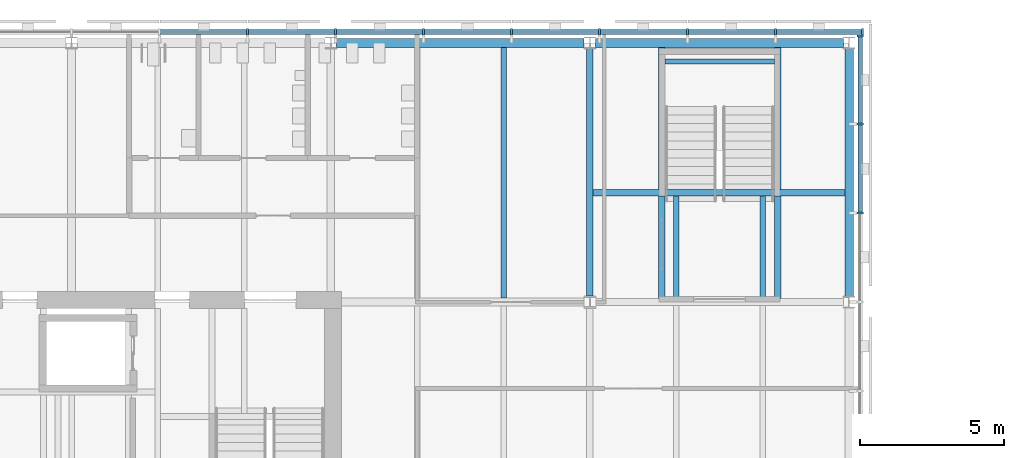
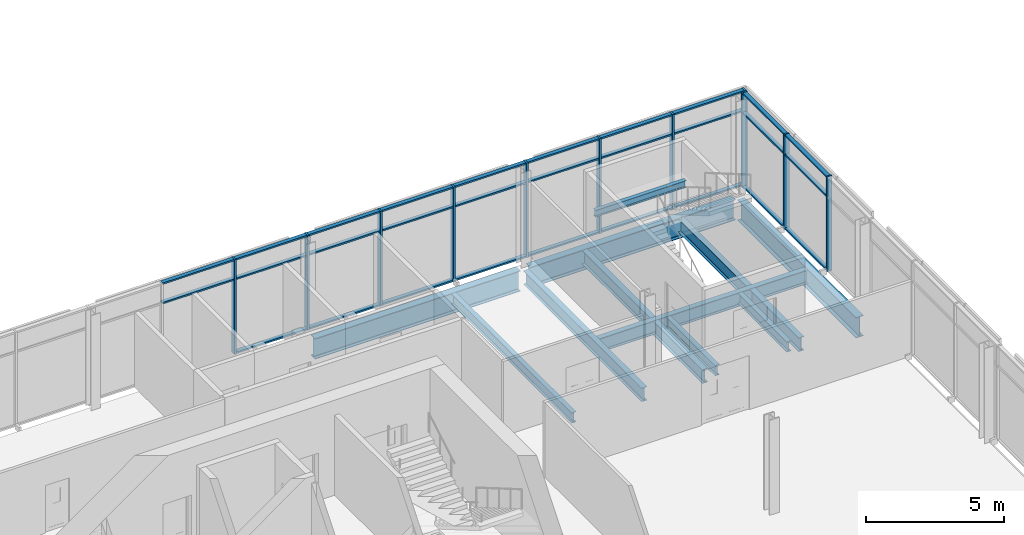
# One storey, part 52 of 123: 40 members, 13 beams, 2 elements without a shape of their own.
"""IFC4 building model written with IfcOpenShell, lengths in metres."""

from ifc_helpers import new_model, si_unit, direction, frame, origin, origin_2d, place, context, subcontext, project, spatial, rectangle, i_section, extrude, material, material_profile, profile_set, type_object, element, aggregate, save


model = new_model("IFC4")

# Units and contexts
model_context = context("Model", 3, precision=1e-05, world=origin(), true_north=direction((0.0, 1.0)))
body_context = subcontext(model_context, "Body", "Model", "MODEL_VIEW")
ifc_project = project(units=[si_unit("LENGTHUNIT", "METRE"), si_unit("AREAUNIT", "SQUARE_METRE"), si_unit("VOLUMEUNIT", "CUBIC_METRE"), si_unit("PLANEANGLEUNIT", "RADIAN"), si_unit("MASSUNIT", "GRAM", prefix="KILO")], contexts=[model_context])

# Site, building, storey
site_placement = place(None, origin())
site = spatial("IfcSite", under=ifc_project, at=site_placement, CompositionType="ELEMENT")
building_placement = place(site_placement, origin())
building = spatial("IfcBuilding", under=site, at=building_placement, Name="Baradari Gate Terminus", CompositionType="ELEMENT")
storey_placement = place(building_placement, frame((0.0, 0.0, 7.5)))
storey = spatial("IfcBuildingStorey", under=building, at=storey_placement, Name="L01", CompositionType="ELEMENT", Elevation=7.5)

# Curtain wall, members
ifc_material_1 = material(Name="Aluminium 6063-T6", Category="aluminium")
curtain_wall_type = type_object("IfcCurtainWallType", Name="Curtain wall CW-9 block gallery storey", PredefinedType="NOTDEFINED", material=ifc_material_1)
curtain_wall_1_placement = place(storey_placement, origin())
curtain_wall_1 = element("IfcCurtainWall", 1, at=curtain_wall_1_placement, inside=storey, type_object=curtain_wall_type, Name="Curtain wall CW-9 Operations block N face L01", PredefinedType="NOTDEFINED")
ifc_material_2 = material(Name="Aluminium 6063-T6", Category="aluminium")
ifc_material_profile_1 = material_profile(ifc_material_2, rectangle(XDim=0.22509765625, YDim=0.070068359375, at=origin_2d()), Name="CM-9 70X225")
ifc_profile_set_1 = profile_set([ifc_material_profile_1], Name="Aluminium 6063-T6")
member_type_1 = type_object("IfcMemberType", Name="Curtain wall mullion CM-9 70x225", PredefinedType="MULLION", material=ifc_profile_set_1)
member_1_placement = place(storey_placement, frame((42.110107421875, 144.382568359375, 0.0), z_axis=(0.0, 0.0, 1.0), x_axis=(0.0, 1.0, 0.0)))
member_1 = element("IfcMember", 2, at=member_1_placement, type_object=member_type_1, Name="CW-9 mullion 12", PredefinedType="MULLION", context=body_context, shape_type="SweptSolid", body=[
    extrude(rectangle(XDim=0.22509765625, YDim=0.070068359375, at=origin_2d()), origin(), (0.0, 0.0, 1.0), 4.199951171875),
])
member_2_placement = place(storey_placement, frame((45.1650390625, 144.382568359375, 0.0), z_axis=(0.0, 0.0, 1.0), x_axis=(0.0, 1.0, 0.0)))
member_2 = element("IfcMember", 3, at=member_2_placement, type_object=member_type_1, Name="CW-9 mullion 13", PredefinedType="MULLION", context=body_context, shape_type="SweptSolid", body=[
    extrude(rectangle(XDim=0.22509765625, YDim=0.070068359375, at=origin_2d()), origin(), (0.0, 0.0, 1.0), 4.199951171875),
])
member_3_placement = place(storey_placement, frame((48.219970703125, 144.382568359375, 0.0), z_axis=(0.0, 0.0, 1.0), x_axis=(0.0, 1.0, 0.0)))
member_3 = element("IfcMember", 4, at=member_3_placement, type_object=member_type_1, Name="CW-9 mullion 14", PredefinedType="MULLION", context=body_context, shape_type="SweptSolid", body=[
    extrude(rectangle(XDim=0.22509765625, YDim=0.070068359375, at=origin_2d()), origin(), (0.0, 0.0, 1.0), 4.199951171875),
])
member_4_placement = place(storey_placement, frame((51.27490234375, 144.382568359375, 0.0), z_axis=(0.0, 0.0, 1.0), x_axis=(0.0, 1.0, 0.0)))
member_4 = element("IfcMember", 5, at=member_4_placement, type_object=member_type_1, Name="CW-9 mullion 15", PredefinedType="MULLION", context=body_context, shape_type="SweptSolid", body=[
    extrude(rectangle(XDim=0.22509765625, YDim=0.070068359375, at=origin_2d()), origin(), (0.0, 0.0, 1.0), 4.199951171875),
])
member_5_placement = place(storey_placement, frame((54.330078125, 144.382568359375, 0.0), z_axis=(0.0, 0.0, 1.0), x_axis=(0.0, 1.0, 0.0)))
member_5 = element("IfcMember", 6, at=member_5_placement, type_object=member_type_1, Name="CW-9 mullion 16", PredefinedType="MULLION", context=body_context, shape_type="SweptSolid", body=[
    extrude(rectangle(XDim=0.22509765625, YDim=0.070068359375, at=origin_2d()), origin(), (0.0, 0.0, 1.0), 4.199951171875),
])
member_6_placement = place(storey_placement, frame((57.385009765625, 144.382568359375, 0.0), z_axis=(0.0, 0.0, 1.0), x_axis=(0.0, 1.0, 0.0)))
member_6 = element("IfcMember", 7, at=member_6_placement, type_object=member_type_1, Name="CW-9 mullion 17", PredefinedType="MULLION", context=body_context, shape_type="SweptSolid", body=[
    extrude(rectangle(XDim=0.22509765625, YDim=0.070068359375, at=origin_2d()), origin(), (0.0, 0.0, 1.0), 4.199951171875),
])
member_7_placement = place(storey_placement, frame((60.43994140625, 144.382568359375, 0.0), z_axis=(0.0, 0.0, 1.0), x_axis=(0.0, 1.0, 0.0)))
member_7 = element("IfcMember", 8, at=member_7_placement, type_object=member_type_1, Name="CW-9 mullion 18", PredefinedType="MULLION", context=body_context, shape_type="SweptSolid", body=[
    extrude(rectangle(XDim=0.22509765625, YDim=0.070068359375, at=origin_2d()), origin(), (0.0, 0.0, 1.0), 4.199951171875),
])
member_8_placement = place(storey_placement, frame((63.4599609375, 144.382568359375, 0.0), z_axis=(0.0, 0.0, 1.0), x_axis=(0.0, 1.0, 0.0)))
member_8 = element("IfcMember", 9, at=member_8_placement, type_object=member_type_1, Name="CW-9 mullion 19", PredefinedType="MULLION", context=body_context, shape_type="SweptSolid", body=[
    extrude(rectangle(XDim=0.22509765625, YDim=0.070068359375, at=origin_2d()), origin(), (0.0, 0.0, 1.0), 4.199951171875),
])

curtain_wall_2_placement = place(storey_placement, origin())
curtain_wall_2 = element("IfcCurtainWall", 10, at=curtain_wall_2_placement, inside=storey, type_object=curtain_wall_type, Name="Curtain wall CW-9 Operations block E face L01", PredefinedType="NOTDEFINED")
member_9_placement = place(storey_placement, frame((63.382568359375, 138.094482421875, 0.0), z_axis=(0.0, 0.0, 1.0), x_axis=(-1.0, 0.0, 0.0)))
member_9 = element("IfcMember", 11, at=member_9_placement, type_object=member_type_1, Name="CW-9 mullion 8", PredefinedType="MULLION", context=body_context, shape_type="SweptSolid", body=[
    extrude(rectangle(XDim=0.22509765625, YDim=0.070068359375, at=origin_2d()), origin(), (0.0, 0.0, 1.0), 4.199951171875),
])
member_10_placement = place(storey_placement, frame((63.382568359375, 141.18212890625, 0.0), z_axis=(0.0, 0.0, 1.0), x_axis=(-1.0, 0.0, 0.0)))
member_10 = element("IfcMember", 12, at=member_10_placement, type_object=member_type_1, Name="CW-9 mullion 9", PredefinedType="MULLION", context=body_context, shape_type="SweptSolid", body=[
    extrude(rectangle(XDim=0.22509765625, YDim=0.070068359375, at=origin_2d()), origin(), (0.0, 0.0, 1.0), 4.199951171875),
])
member_11_placement = place(storey_placement, frame((63.382568359375, 144.235107421875, 0.0), z_axis=(0.0, 0.0, 1.0), x_axis=(-1.0, 0.0, 0.0)))
member_11 = element("IfcMember", 13, at=member_11_placement, type_object=member_type_1, Name="CW-9 mullion 10", PredefinedType="MULLION", context=body_context, shape_type="SweptSolid", body=[
    extrude(rectangle(XDim=0.22509765625, YDim=0.070068359375, at=origin_2d()), origin(), (0.0, 0.0, 1.0), 4.199951171875),
])

# Member
ifc_material_3 = material(Name="Aluminium 6063-T6", Category="aluminium")
ifc_material_profile_2 = material_profile(ifc_material_3, rectangle(XDim=0.1650390625, YDim=0.070068359375, at=origin_2d()), Name="CT-9 70X165")
ifc_profile_set_2 = profile_set([ifc_material_profile_2], Name="Aluminium 6063-T6")
member_type_2 = type_object("IfcMemberType", Name="Curtain wall transom CT-9 70x165", PredefinedType="USERDEFINED", material=ifc_profile_set_2)
member_12_placement = place(storey_placement, frame((39.090087890625, 144.382568359375, 3.300048828125), z_axis=(1.0, 0.0, 0.0), x_axis=(0.0, 1.0, 0.0)))
member_12 = element("IfcMember", 14, at=member_12_placement, type_object=member_type_2, Name="CW-9 transom 11.2", ObjectType="TRANSOM", PredefinedType="USERDEFINED", context=body_context, shape_type="SweptSolid", body=[
    extrude(rectangle(XDim=0.1650390625, YDim=0.070068359375, at=origin_2d()), origin(), (0.0, 0.0, 1.0), 2.98486328125),
])

member_13_placement = place(storey_placement, frame((39.090087890625, 144.382568359375, 4.1650390625), z_axis=(1.0, 0.0, 0.0), x_axis=(0.0, 1.0, 0.0)))
member_13 = element("IfcMember", 15, at=member_13_placement, type_object=member_type_2, Name="CW-9 transom 11.3", ObjectType="TRANSOM", PredefinedType="USERDEFINED", context=body_context, shape_type="SweptSolid", body=[
    extrude(rectangle(XDim=0.1650390625, YDim=0.070068359375, at=origin_2d()), origin(), (0.0, 0.0, 1.0), 2.98486328125),
])

member_14_placement = place(storey_placement, frame((42.14501953125, 144.382568359375, 0.034912109375), z_axis=(1.0, 0.0, 0.0), x_axis=(0.0, 1.0, 0.0)))
member_14 = element("IfcMember", 16, at=member_14_placement, type_object=member_type_2, Name="CW-9 transom 12.1", ObjectType="TRANSOM", PredefinedType="USERDEFINED", context=body_context, shape_type="SweptSolid", body=[
    extrude(rectangle(XDim=0.1650390625, YDim=0.070068359375, at=origin_2d()), origin(), (0.0, 0.0, 1.0), 2.98486328125),
])

member_15_placement = place(storey_placement, frame((42.14501953125, 144.382568359375, 3.300048828125), z_axis=(1.0, 0.0, 0.0), x_axis=(0.0, 1.0, 0.0)))
member_15 = element("IfcMember", 17, at=member_15_placement, type_object=member_type_2, Name="CW-9 transom 12.2", ObjectType="TRANSOM", PredefinedType="USERDEFINED", context=body_context, shape_type="SweptSolid", body=[
    extrude(rectangle(XDim=0.1650390625, YDim=0.070068359375, at=origin_2d()), origin(), (0.0, 0.0, 1.0), 2.98486328125),
])

member_16_placement = place(storey_placement, frame((42.14501953125, 144.382568359375, 4.1650390625), z_axis=(1.0, 0.0, 0.0), x_axis=(0.0, 1.0, 0.0)))
member_16 = element("IfcMember", 18, at=member_16_placement, type_object=member_type_2, Name="CW-9 transom 12.3", ObjectType="TRANSOM", PredefinedType="USERDEFINED", context=body_context, shape_type="SweptSolid", body=[
    extrude(rectangle(XDim=0.1650390625, YDim=0.070068359375, at=origin_2d()), origin(), (0.0, 0.0, 1.0), 2.98486328125),
])

member_17_placement = place(storey_placement, frame((45.199951171875, 144.382568359375, 0.034912109375), z_axis=(1.0, 0.0, 0.0), x_axis=(0.0, 1.0, 0.0)))
member_17 = element("IfcMember", 19, at=member_17_placement, type_object=member_type_2, Name="CW-9 transom 13.1", ObjectType="TRANSOM", PredefinedType="USERDEFINED", context=body_context, shape_type="SweptSolid", body=[
    extrude(rectangle(XDim=0.1650390625, YDim=0.070068359375, at=origin_2d()), origin(), (0.0, 0.0, 1.0), 2.985107421875),
])

member_18_placement = place(storey_placement, frame((45.199951171875, 144.382568359375, 3.300048828125), z_axis=(1.0, 0.0, 0.0), x_axis=(0.0, 1.0, 0.0)))
member_18 = element("IfcMember", 20, at=member_18_placement, type_object=member_type_2, Name="CW-9 transom 13.2", ObjectType="TRANSOM", PredefinedType="USERDEFINED", context=body_context, shape_type="SweptSolid", body=[
    extrude(rectangle(XDim=0.1650390625, YDim=0.070068359375, at=origin_2d()), origin(), (0.0, 0.0, 1.0), 2.985107421875),
])

member_19_placement = place(storey_placement, frame((45.199951171875, 144.382568359375, 4.1650390625), z_axis=(1.0, 0.0, 0.0), x_axis=(0.0, 1.0, 0.0)))
member_19 = element("IfcMember", 21, at=member_19_placement, type_object=member_type_2, Name="CW-9 transom 13.3", ObjectType="TRANSOM", PredefinedType="USERDEFINED", context=body_context, shape_type="SweptSolid", body=[
    extrude(rectangle(XDim=0.1650390625, YDim=0.070068359375, at=origin_2d()), origin(), (0.0, 0.0, 1.0), 2.985107421875),
])

member_20_placement = place(storey_placement, frame((48.2548828125, 144.382568359375, 0.034912109375), z_axis=(1.0, 0.0, 0.0), x_axis=(0.0, 1.0, 0.0)))
member_20 = element("IfcMember", 22, at=member_20_placement, type_object=member_type_2, Name="CW-9 transom 14.1", ObjectType="TRANSOM", PredefinedType="USERDEFINED", context=body_context, shape_type="SweptSolid", body=[
    extrude(rectangle(XDim=0.1650390625, YDim=0.070068359375, at=origin_2d()), origin(), (0.0, 0.0, 1.0), 2.985107421875),
])

member_21_placement = place(storey_placement, frame((48.2548828125, 144.382568359375, 3.300048828125), z_axis=(1.0, 0.0, 0.0), x_axis=(0.0, 1.0, 0.0)))
member_21 = element("IfcMember", 23, at=member_21_placement, type_object=member_type_2, Name="CW-9 transom 14.2", ObjectType="TRANSOM", PredefinedType="USERDEFINED", context=body_context, shape_type="SweptSolid", body=[
    extrude(rectangle(XDim=0.1650390625, YDim=0.070068359375, at=origin_2d()), origin(), (0.0, 0.0, 1.0), 2.985107421875),
])

member_22_placement = place(storey_placement, frame((48.2548828125, 144.382568359375, 4.1650390625), z_axis=(1.0, 0.0, 0.0), x_axis=(0.0, 1.0, 0.0)))
member_22 = element("IfcMember", 24, at=member_22_placement, type_object=member_type_2, Name="CW-9 transom 14.3", ObjectType="TRANSOM", PredefinedType="USERDEFINED", context=body_context, shape_type="SweptSolid", body=[
    extrude(rectangle(XDim=0.1650390625, YDim=0.070068359375, at=origin_2d()), origin(), (0.0, 0.0, 1.0), 2.985107421875),
])

member_23_placement = place(storey_placement, frame((51.31005859375, 144.382568359375, 0.034912109375), z_axis=(1.0, 0.0, 0.0), x_axis=(0.0, 1.0, 0.0)))
member_23 = element("IfcMember", 25, at=member_23_placement, type_object=member_type_2, Name="CW-9 transom 15.1", ObjectType="TRANSOM", PredefinedType="USERDEFINED", context=body_context, shape_type="SweptSolid", body=[
    extrude(rectangle(XDim=0.1650390625, YDim=0.070068359375, at=origin_2d()), origin(), (0.0, 0.0, 1.0), 2.98486328125),
])

member_24_placement = place(storey_placement, frame((51.31005859375, 144.382568359375, 3.300048828125), z_axis=(1.0, 0.0, 0.0), x_axis=(0.0, 1.0, 0.0)))
member_24 = element("IfcMember", 26, at=member_24_placement, type_object=member_type_2, Name="CW-9 transom 15.2", ObjectType="TRANSOM", PredefinedType="USERDEFINED", context=body_context, shape_type="SweptSolid", body=[
    extrude(rectangle(XDim=0.1650390625, YDim=0.070068359375, at=origin_2d()), origin(), (0.0, 0.0, 1.0), 2.98486328125),
])

member_25_placement = place(storey_placement, frame((51.31005859375, 144.382568359375, 4.1650390625), z_axis=(1.0, 0.0, 0.0), x_axis=(0.0, 1.0, 0.0)))
member_25 = element("IfcMember", 27, at=member_25_placement, type_object=member_type_2, Name="CW-9 transom 15.3", ObjectType="TRANSOM", PredefinedType="USERDEFINED", context=body_context, shape_type="SweptSolid", body=[
    extrude(rectangle(XDim=0.1650390625, YDim=0.070068359375, at=origin_2d()), origin(), (0.0, 0.0, 1.0), 2.98486328125),
])

member_26_placement = place(storey_placement, frame((54.364990234375, 144.382568359375, 0.034912109375), z_axis=(1.0, 0.0, 0.0), x_axis=(0.0, 1.0, 0.0)))
member_26 = element("IfcMember", 28, at=member_26_placement, type_object=member_type_2, Name="CW-9 transom 16.1", ObjectType="TRANSOM", PredefinedType="USERDEFINED", context=body_context, shape_type="SweptSolid", body=[
    extrude(rectangle(XDim=0.1650390625, YDim=0.070068359375, at=origin_2d()), origin(), (0.0, 0.0, 1.0), 2.985107421875),
])

member_27_placement = place(storey_placement, frame((54.364990234375, 144.382568359375, 3.300048828125), z_axis=(1.0, 0.0, 0.0), x_axis=(0.0, 1.0, 0.0)))
member_27 = element("IfcMember", 29, at=member_27_placement, type_object=member_type_2, Name="CW-9 transom 16.2", ObjectType="TRANSOM", PredefinedType="USERDEFINED", context=body_context, shape_type="SweptSolid", body=[
    extrude(rectangle(XDim=0.1650390625, YDim=0.070068359375, at=origin_2d()), origin(), (0.0, 0.0, 1.0), 2.985107421875),
])

member_28_placement = place(storey_placement, frame((54.364990234375, 144.382568359375, 4.1650390625), z_axis=(1.0, 0.0, 0.0), x_axis=(0.0, 1.0, 0.0)))
member_28 = element("IfcMember", 30, at=member_28_placement, type_object=member_type_2, Name="CW-9 transom 16.3", ObjectType="TRANSOM", PredefinedType="USERDEFINED", context=body_context, shape_type="SweptSolid", body=[
    extrude(rectangle(XDim=0.1650390625, YDim=0.070068359375, at=origin_2d()), origin(), (0.0, 0.0, 1.0), 2.985107421875),
])

member_29_placement = place(storey_placement, frame((57.419921875, 144.382568359375, 0.034912109375), z_axis=(1.0, 0.0, 0.0), x_axis=(0.0, 1.0, 0.0)))
member_29 = element("IfcMember", 31, at=member_29_placement, type_object=member_type_2, Name="CW-9 transom 17.1", ObjectType="TRANSOM", PredefinedType="USERDEFINED", context=body_context, shape_type="SweptSolid", body=[
    extrude(rectangle(XDim=0.1650390625, YDim=0.070068359375, at=origin_2d()), origin(), (0.0, 0.0, 1.0), 2.985107421875),
])

member_30_placement = place(storey_placement, frame((57.419921875, 144.382568359375, 3.300048828125), z_axis=(1.0, 0.0, 0.0), x_axis=(0.0, 1.0, 0.0)))
member_30 = element("IfcMember", 32, at=member_30_placement, type_object=member_type_2, Name="CW-9 transom 17.2", ObjectType="TRANSOM", PredefinedType="USERDEFINED", context=body_context, shape_type="SweptSolid", body=[
    extrude(rectangle(XDim=0.1650390625, YDim=0.070068359375, at=origin_2d()), origin(), (0.0, 0.0, 1.0), 2.985107421875),
])

member_31_placement = place(storey_placement, frame((57.419921875, 144.382568359375, 4.1650390625), z_axis=(1.0, 0.0, 0.0), x_axis=(0.0, 1.0, 0.0)))
member_31 = element("IfcMember", 33, at=member_31_placement, type_object=member_type_2, Name="CW-9 transom 17.3", ObjectType="TRANSOM", PredefinedType="USERDEFINED", context=body_context, shape_type="SweptSolid", body=[
    extrude(rectangle(XDim=0.1650390625, YDim=0.070068359375, at=origin_2d()), origin(), (0.0, 0.0, 1.0), 2.985107421875),
])

member_32_placement = place(storey_placement, frame((60.47509765625, 144.382568359375, 0.034912109375), z_axis=(1.0, 0.0, 0.0), x_axis=(0.0, 1.0, 0.0)))
member_32 = element("IfcMember", 34, at=member_32_placement, type_object=member_type_2, Name="CW-9 transom 18.1", ObjectType="TRANSOM", PredefinedType="USERDEFINED", context=body_context, shape_type="SweptSolid", body=[
    extrude(rectangle(XDim=0.1650390625, YDim=0.070068359375, at=origin_2d()), origin(), (0.0, 0.0, 1.0), 2.949951171875),
])

member_33_placement = place(storey_placement, frame((60.47509765625, 144.382568359375, 3.300048828125), z_axis=(1.0, 0.0, 0.0), x_axis=(0.0, 1.0, 0.0)))
member_33 = element("IfcMember", 35, at=member_33_placement, type_object=member_type_2, Name="CW-9 transom 18.2", ObjectType="TRANSOM", PredefinedType="USERDEFINED", context=body_context, shape_type="SweptSolid", body=[
    extrude(rectangle(XDim=0.1650390625, YDim=0.070068359375, at=origin_2d()), origin(), (0.0, 0.0, 1.0), 2.949951171875),
])

member_34_placement = place(storey_placement, frame((60.47509765625, 144.382568359375, 4.1650390625), z_axis=(1.0, 0.0, 0.0), x_axis=(0.0, 1.0, 0.0)))
member_34 = element("IfcMember", 36, at=member_34_placement, type_object=member_type_2, Name="CW-9 transom 18.3", ObjectType="TRANSOM", PredefinedType="USERDEFINED", context=body_context, shape_type="SweptSolid", body=[
    extrude(rectangle(XDim=0.1650390625, YDim=0.070068359375, at=origin_2d()), origin(), (0.0, 0.0, 1.0), 2.949951171875),
])

aggregate(curtain_wall_1, [member_1, member_2, member_3, member_4, member_5, member_6, member_7, member_8, member_12, member_13, member_14, member_15, member_16, member_17, member_18, member_19, member_20, member_21, member_22, member_23, member_24, member_25, member_26, member_27, member_28, member_29, member_30, member_31, member_32, member_33, member_34])

member_35_placement = place(storey_placement, frame((63.382568359375, 138.12939453125, 0.034912109375), z_axis=(0.0, 1.0, 0.0), x_axis=(-1.0, 0.0, 0.0)))
member_35 = element("IfcMember", 37, at=member_35_placement, type_object=member_type_2, Name="CW-9 transom 8.1", ObjectType="TRANSOM", PredefinedType="USERDEFINED", context=body_context, shape_type="SweptSolid", body=[
    extrude(rectangle(XDim=0.1650390625, YDim=0.070068359375, at=origin_2d()), origin(), (0.0, 0.0, 1.0), 3.017822265625),
])

member_36_placement = place(storey_placement, frame((63.382568359375, 138.12939453125, 3.300048828125), z_axis=(0.0, 1.0, 0.0), x_axis=(-1.0, 0.0, 0.0)))
member_36 = element("IfcMember", 38, at=member_36_placement, type_object=member_type_2, Name="CW-9 transom 8.2", ObjectType="TRANSOM", PredefinedType="USERDEFINED", context=body_context, shape_type="SweptSolid", body=[
    extrude(rectangle(XDim=0.1650390625, YDim=0.070068359375, at=origin_2d()), origin(), (0.0, 0.0, 1.0), 3.017822265625),
])

member_37_placement = place(storey_placement, frame((63.382568359375, 138.12939453125, 4.1650390625), z_axis=(0.0, 1.0, 0.0), x_axis=(-1.0, 0.0, 0.0)))
member_37 = element("IfcMember", 39, at=member_37_placement, type_object=member_type_2, Name="CW-9 transom 8.3", ObjectType="TRANSOM", PredefinedType="USERDEFINED", context=body_context, shape_type="SweptSolid", body=[
    extrude(rectangle(XDim=0.1650390625, YDim=0.070068359375, at=origin_2d()), origin(), (0.0, 0.0, 1.0), 3.017822265625),
])

member_38_placement = place(storey_placement, frame((63.382568359375, 141.21728515625, 0.034912109375), z_axis=(0.0, 1.0, 0.0), x_axis=(-1.0, 0.0, 0.0)))
member_38 = element("IfcMember", 40, at=member_38_placement, type_object=member_type_2, Name="CW-9 transom 9.1", ObjectType="TRANSOM", PredefinedType="USERDEFINED", context=body_context, shape_type="SweptSolid", body=[
    extrude(rectangle(XDim=0.1650390625, YDim=0.070068359375, at=origin_2d()), origin(), (0.0, 0.0, 1.0), 2.982666015625),
])

member_39_placement = place(storey_placement, frame((63.382568359375, 141.21728515625, 3.300048828125), z_axis=(0.0, 1.0, 0.0), x_axis=(-1.0, 0.0, 0.0)))
member_39 = element("IfcMember", 41, at=member_39_placement, type_object=member_type_2, Name="CW-9 transom 9.2", ObjectType="TRANSOM", PredefinedType="USERDEFINED", context=body_context, shape_type="SweptSolid", body=[
    extrude(rectangle(XDim=0.1650390625, YDim=0.070068359375, at=origin_2d()), origin(), (0.0, 0.0, 1.0), 2.982666015625),
])

member_40_placement = place(storey_placement, frame((63.382568359375, 141.21728515625, 4.1650390625), z_axis=(0.0, 1.0, 0.0), x_axis=(-1.0, 0.0, 0.0)))
member_40 = element("IfcMember", 42, at=member_40_placement, type_object=member_type_2, Name="CW-9 transom 9.3", ObjectType="TRANSOM", PredefinedType="USERDEFINED", context=body_context, shape_type="SweptSolid", body=[
    extrude(rectangle(XDim=0.1650390625, YDim=0.070068359375, at=origin_2d()), origin(), (0.0, 0.0, 1.0), 2.982666015625),
])

aggregate(curtain_wall_2, [member_9, member_10, member_11, member_35, member_36, member_37, member_38, member_39, member_40])

# Beams
ifc_material_4 = material(Name="Steel S355", Category="steel")
ifc_material_profile_3 = material_profile(ifc_material_4, i_section(OverallWidth=0.1650390625, OverallDepth=0.303466796875, WebThickness=0.006103515625, FlangeThickness=0.01025390625, FilletRadius=0.0087890625, at=origin_2d()), Name="UB 305x165x40")
ifc_profile_set_3 = profile_set([ifc_material_profile_3], Name="Steel S355")
beam_type_1 = type_object("IfcBeamType", Name="Landing beam B73 UB 305x165x40", PredefinedType="BEAM", material=ifc_profile_set_3)
beam_1_placement = place(storey_placement, frame((56.60009765625, 143.35009765625, 1.748291015625), z_axis=(1.0, 0.0, 0.0), x_axis=(0.0, 1.0, 0.0)))
element("IfcBeam", 43, at=beam_1_placement, inside=storey, type_object=beam_type_1, Name="B73 landing beam ST-T3/L1", PredefinedType="BEAM", context=body_context, shape_type="SweptSolid", body=[
    extrude(i_section(OverallWidth=0.1650390625, OverallDepth=0.303466796875, WebThickness=0.006103515625, FlangeThickness=0.01025390625, FilletRadius=0.0087890625, at=origin_2d()), origin(), (0.0, 0.0, 1.0), 3.7998046875),
])
ifc_material_5 = material(Name="Steel S355", Category="steel")
ifc_material_profile_4 = material_profile(ifc_material_5, i_section(OverallWidth=0.2275390625, OverallDepth=0.6025390625, WebThickness=0.010498046875, FlangeThickness=0.014892578125, FilletRadius=0.0126953125, at=origin_2d()), Name="UB 610x229x101")
ifc_profile_set_4 = profile_set([ifc_material_profile_4], Name="Steel S355")
beam_type_2 = type_object("IfcBeamType", Name="Operations block girder B06 UB 610x229x101", PredefinedType="BEAM", material=ifc_profile_set_4)
beam_2_placement = place(storey_placement, frame((54.0, 135.21826171875, -0.431396484375), z_axis=(0.0, 1.0, 0.0), x_axis=(-1.0, 0.0, 0.0)))
element("IfcBeam", 44, at=beam_2_placement, inside=storey, type_object=beam_type_2, Name="Operations block girder B06 7:135.218-143.803 L01", PredefinedType="BEAM", context=body_context, shape_type="SweptSolid", body=[
    extrude(i_section(OverallWidth=0.2275390625, OverallDepth=0.6025390625, WebThickness=0.010498046875, FlangeThickness=0.014892578125, FilletRadius=0.0126953125, at=origin_2d()), origin(), (0.0, 0.0, 1.0), 8.5849609375),
])
ifc_material_6 = material(Name="Steel S355", Category="steel")
ifc_material_profile_5 = material_profile(ifc_material_6, i_section(OverallWidth=0.30419921875, OverallDepth=0.910400390625, WebThickness=0.015869140625, FlangeThickness=0.02392578125, FilletRadius=0.01904296875, at=origin_2d()), Name="UB 914x305x224")
ifc_profile_set_5 = profile_set([ifc_material_profile_5], Name="Steel S355")
beam_type_3 = type_object("IfcBeamType", Name="Operations block moment frame beam B01 UB 914x305x224", PredefinedType="BEAM", material=ifc_profile_set_5)
for number, where, z_axis, x_axis, name in (
    (45, (45.199462890625, 144.0, -0.585205078125), (1.0, 0.0, 0.0), (0.0, 1.0, 0.0), "Operations block moment frame beam B01 S:45.2-53.8 L01"),
    (46, (54.199462890625, 144.0, -0.585205078125), (1.0, 0.0, 0.0), (0.0, 1.0, 0.0), "Operations block moment frame beam B01 S:54.2-62.8 L01"),
):
    element("IfcBeam", number, at=place(storey_placement, frame(where, z_axis=z_axis, x_axis=x_axis)), inside=storey, type_object=beam_type_3, Name=name, PredefinedType="BEAM", context=body_context, shape_type="SweptSolid", body=[
        extrude(i_section(OverallWidth=0.30419921875, OverallDepth=0.910400390625, WebThickness=0.015869140625, FlangeThickness=0.02392578125, FilletRadius=0.01904296875, at=origin_2d()), origin(), (0.0, 0.0, 1.0), 8.60107421875),
    ])
beam_3_placement = place(storey_placement, frame((63.0, 135.19677734375, -0.585205078125), z_axis=(0.0, 1.0, 0.0), x_axis=(-1.0, 0.0, 0.0)))
element("IfcBeam", 47, at=beam_3_placement, inside=storey, type_object=beam_type_3, Name="Operations block moment frame beam B01 8:135.197-143.803 L01", PredefinedType="BEAM", context=body_context, shape_type="SweptSolid", body=[
    extrude(i_section(OverallWidth=0.30419921875, OverallDepth=0.910400390625, WebThickness=0.015869140625, FlangeThickness=0.02392578125, FilletRadius=0.01904296875, at=origin_2d()), origin(), (0.0, 0.0, 1.0), 8.6064453125),
])
ifc_material_7 = material(Name="Steel S355", Category="steel")
ifc_material_profile_6 = material_profile(ifc_material_7, i_section(OverallWidth=0.19140625, OverallDepth=0.4599609375, WebThickness=0.010009765625, FlangeThickness=0.01611328125, FilletRadius=0.01025390625, at=origin_2d()), Name="UB 457x191x82")
ifc_profile_set_6 = profile_set([ifc_material_profile_6], Name="Steel S355")
beam_type_4 = type_object("IfcBeamType", Name="Operations block secondary beam B05 UB 457x191x82", PredefinedType="BEAM", material=ifc_profile_set_6)
beam_4_placement = place(storey_placement, frame((51.0, 135.134033203125, -0.360107421875), z_axis=(0.0, 1.0, 0.0), x_axis=(-1.0, 0.0, 0.0)))
element("IfcBeam", 48, at=beam_4_placement, inside=storey, type_object=beam_type_4, Name="Operations block secondary beam B05 51:135.134-143.848 L01", PredefinedType="BEAM", context=body_context, shape_type="SweptSolid", body=[
    extrude(i_section(OverallWidth=0.19140625, OverallDepth=0.4599609375, WebThickness=0.010009765625, FlangeThickness=0.01611328125, FilletRadius=0.01025390625, at=origin_2d()), origin(), (0.0, 0.0, 1.0), 8.7138671875),
])
for number, where, z_axis, x_axis, name in (
    (49, (57.0, 135.12646484375, -0.360107421875), (0.0, 1.0, 0.0), (-1.0, 0.0, 0.0), "Operations block secondary beam B05 57:135.126-138.685 L01"),
    (50, (60.0, 135.12646484375, -0.360107421875), (0.0, 1.0, 0.0), (-1.0, 0.0, 0.0), "Operations block secondary beam B05 60:135.126-138.685 L01"),
):
    element("IfcBeam", number, at=place(storey_placement, frame(where, z_axis=z_axis, x_axis=x_axis)), inside=storey, type_object=beam_type_4, Name=name, PredefinedType="BEAM", context=body_context, shape_type="SweptSolid", body=[
        extrude(i_section(OverallWidth=0.19140625, OverallDepth=0.4599609375, WebThickness=0.010009765625, FlangeThickness=0.01611328125, FilletRadius=0.01025390625, at=origin_2d()), origin(), (0.0, 0.0, 1.0), 3.55908203125),
    ])
ifc_material_8 = material(Name="Steel S355", Category="steel")
ifc_material_profile_7 = material_profile(ifc_material_8, i_section(OverallWidth=0.22900390625, OverallDepth=0.6123046875, WebThickness=0.011962890625, FlangeThickness=0.01953125, FilletRadius=0.0126953125, at=origin_2d()), Name="UB 610x229x125")
ifc_profile_set_7 = profile_set([ifc_material_profile_7], Name="Steel S355")
beam_type_5 = type_object("IfcBeamType", Name="Operations block trimmer beam B04 UB 610x229x125", PredefinedType="BEAM", material=ifc_profile_set_7)
beam_5_placement = place(storey_placement, frame((54.11376953125, 138.800048828125, -0.43603515625), z_axis=(1.0, 0.0, 0.0), x_axis=(0.0, 1.0, 0.0)))
element("IfcBeam", 51, at=beam_5_placement, inside=storey, type_object=beam_type_5, Name="Operations block trimmer beam B04 138.8:54.114-62.848 L01", PredefinedType="BEAM", context=body_context, shape_type="SweptSolid", body=[
    extrude(i_section(OverallWidth=0.22900390625, OverallDepth=0.6123046875, WebThickness=0.011962890625, FlangeThickness=0.01953125, FilletRadius=0.0126953125, at=origin_2d()), origin(), (0.0, 0.0, 1.0), 8.734130859375),
])
beam_6_placement = place(storey_placement, frame((56.486083984375, 135.12646484375, -0.43603515625), z_axis=(0.0, 1.0, 0.0), x_axis=(-1.0, 0.0, 0.0)))
element("IfcBeam", 52, at=beam_6_placement, inside=storey, type_object=beam_type_5, Name="Operations block trimmer beam B04 56.486:135.126-138.685 L01", PredefinedType="BEAM", context=body_context, shape_type="SweptSolid", body=[
    extrude(i_section(OverallWidth=0.22900390625, OverallDepth=0.6123046875, WebThickness=0.011962890625, FlangeThickness=0.01953125, FilletRadius=0.0126953125, at=origin_2d()), origin(), (0.0, 0.0, 1.0), 3.55908203125),
])
beam_7_placement = place(storey_placement, frame((56.486083984375, 138.91455078125, -0.43603515625), z_axis=(0.0, 1.0, 0.0), x_axis=(-1.0, 0.0, 0.0)))
element("IfcBeam", 53, at=beam_7_placement, inside=storey, type_object=beam_type_5, Name="Operations block trimmer beam B04 56.486:138.915-143.848 L01", PredefinedType="BEAM", context=body_context, shape_type="SweptSolid", body=[
    extrude(i_section(OverallWidth=0.22900390625, OverallDepth=0.6123046875, WebThickness=0.011962890625, FlangeThickness=0.01953125, FilletRadius=0.0126953125, at=origin_2d()), origin(), (0.0, 0.0, 1.0), 4.933349609375),
])
beam_8_placement = place(storey_placement, frame((60.513916015625, 135.12646484375, -0.43603515625), z_axis=(0.0, 1.0, 0.0), x_axis=(-1.0, 0.0, 0.0)))
element("IfcBeam", 54, at=beam_8_placement, inside=storey, type_object=beam_type_5, Name="Operations block trimmer beam B04 60.514:135.126-138.685 L01", PredefinedType="BEAM", context=body_context, shape_type="SweptSolid", body=[
    extrude(i_section(OverallWidth=0.22900390625, OverallDepth=0.6123046875, WebThickness=0.011962890625, FlangeThickness=0.01953125, FilletRadius=0.0126953125, at=origin_2d()), origin(), (0.0, 0.0, 1.0), 3.55908203125),
])
beam_9_placement = place(storey_placement, frame((60.513916015625, 138.91455078125, -0.43603515625), z_axis=(0.0, 1.0, 0.0), x_axis=(-1.0, 0.0, 0.0)))
element("IfcBeam", 55, at=beam_9_placement, inside=storey, type_object=beam_type_5, Name="Operations block trimmer beam B04 60.514:138.915-143.848 L01", PredefinedType="BEAM", context=body_context, shape_type="SweptSolid", body=[
    extrude(i_section(OverallWidth=0.22900390625, OverallDepth=0.6123046875, WebThickness=0.011962890625, FlangeThickness=0.01953125, FilletRadius=0.0126953125, at=origin_2d()), origin(), (0.0, 0.0, 1.0), 4.933349609375),
])

save(model, "model.ifc")
